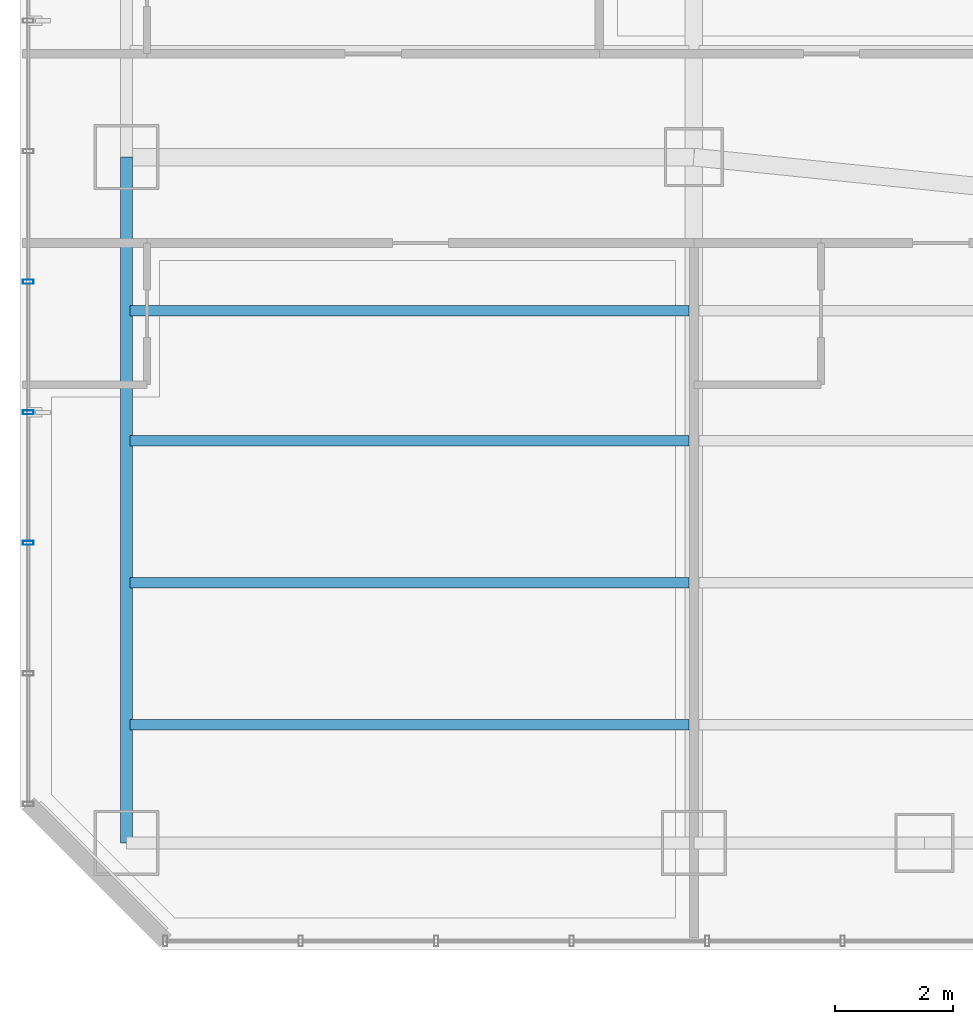
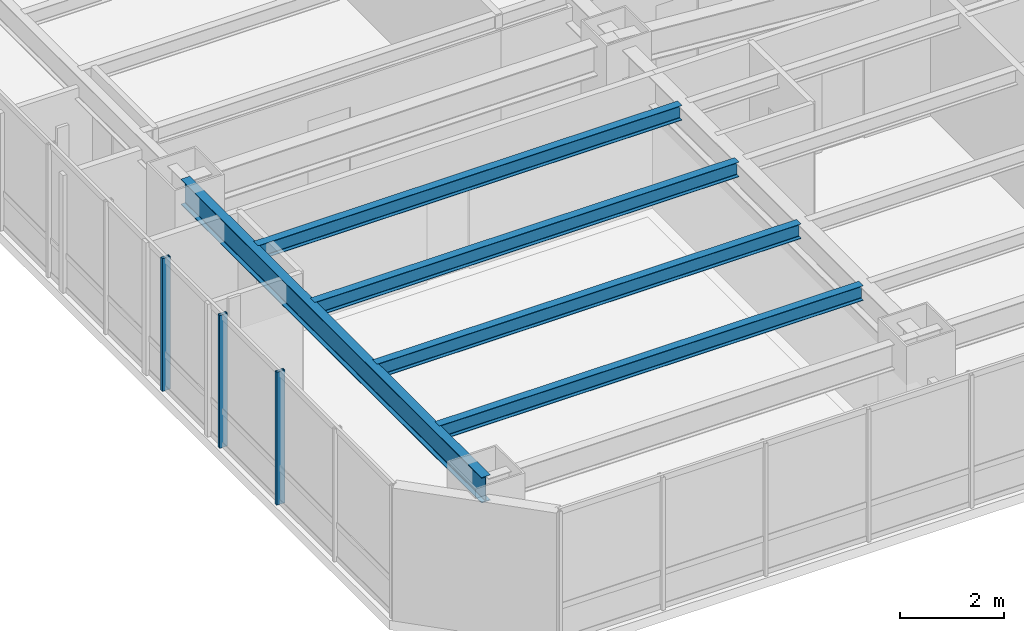
# One storey, part 5 of 37: 5 beams, 3 members, 1 element without a shape of its own.
"""IFC4 building model written with IfcOpenShell, lengths in metres."""

import ifcopenshell
import ifcopenshell.guid

model = None  # the IFC model being written
_history = None  # IfcOwnerHistory: only IFC2X3 demands one
_inside = {}  # id of a spatial element -> (the spatial element, [elements in it])
_under = {}  # id of a project, library or spatial element -> (it, [spatial elements below it])
_declared = {}  # id of a project -> (the project, [libraries it declares])
_typed = {}  # id of a type object -> (the type object, [elements of that type])
_made_of = {}  # id of a material, layer set ... -> (it, [elements and type objects made of it])


def new_model(schema):
    """Start an empty IFC model of exactly this schema.

    Asked for "IFC4X3", IfcOpenShell would pick the latest addendum, in which some entities
    have other attributes; the version numbers below select the first issue.
    IFC2X3 requires an IfcOwnerHistory on every rooted entity: one is made here for all.
    """
    global model, _history
    if schema == "IFC4X3":
        model = ifcopenshell.file(schema_version=(4, 3, 0, 0))
    else:
        model = ifcopenshell.file(schema=schema)
    _inside.clear()
    _under.clear()
    _declared.clear()
    _typed.clear()
    _made_of.clear()
    _history = None
    if model.schema == "IFC2X3":
        org = make("IfcOrganization", Name="unknown")
        user = make(
            "IfcPersonAndOrganization",
            ThePerson=make("IfcPerson", FamilyName="unknown"),
            TheOrganization=org,
        )
        app = make(
            "IfcApplication",
            ApplicationDeveloper=org,
            Version="unknown",
            ApplicationFullName="unknown",
            ApplicationIdentifier="unknown",
        )
        _history = make(
            "IfcOwnerHistory",
            OwningUser=user,
            OwningApplication=app,
            ChangeAction="ADDED",
            CreationDate=0,
        )
    return model


def make(cls, **values):
    """One entity of the class cls with the attributes given. An attribute that is None is left unset."""
    return model.create_entity(
        cls, **{name: value for name, value in values.items() if value is not None}
    )


def rooted(cls, **values):
    """An entity with a GlobalId (a new one), such as an element, a storey or a relation."""
    return make(cls, GlobalId=ifcopenshell.guid.new(), OwnerHistory=_history, **values)


def si_unit(unit_type, name, prefix=None):
    """IfcSIUnit, for example si_unit("LENGTHUNIT", "METRE", prefix="MILLI")."""
    return make("IfcSIUnit", UnitType=unit_type, Prefix=prefix, Name=name)


def assignment(units):
    """IfcUnitAssignment: the units of a project."""
    return None if units is None else make("IfcUnitAssignment", Units=units)


def point(xyz):
    """IfcCartesianPoint."""
    return None if xyz is None else make("IfcCartesianPoint", Coordinates=xyz)


def direction(xyz):
    """IfcDirection."""
    return None if xyz is None else make("IfcDirection", DirectionRatios=xyz)


def frame(location, z_axis=None, x_axis=None):
    """IfcAxis2Placement3D, a coordinate frame: its origin and axes. An axis left out is left unset."""
    return make(
        "IfcAxis2Placement3D",
        Location=point(location),
        Axis=direction(z_axis),
        RefDirection=direction(x_axis),
    )


def frame_2d(location, x_axis=None):
    """IfcAxis2Placement2D, a coordinate frame in the plane: its origin and x axis."""
    return make(
        "IfcAxis2Placement2D", Location=point(location), RefDirection=direction(x_axis)
    )


def origin():
    """The frame at (0, 0, 0) with its axes left unset."""
    return frame((0.0, 0.0, 0.0))


def origin_2d():
    """The frame at (0, 0) in the plane with its x axis left unset."""
    return frame_2d((0.0, 0.0))


def place(relative_to, where):
    """IfcLocalPlacement: puts the frame where relative to a parent placement (None: the world)."""
    return make(
        "IfcLocalPlacement", PlacementRelTo=relative_to, RelativePlacement=where
    )


def context(
    kind, dimensions, precision=None, world=None, true_north=None, identifier=None
):
    """IfcGeometricRepresentationContext, for example the 3D "Model" context."""
    return make(
        "IfcGeometricRepresentationContext",
        ContextIdentifier=identifier,
        ContextType=kind,
        CoordinateSpaceDimension=dimensions,
        Precision=precision,
        WorldCoordinateSystem=world,
        TrueNorth=true_north,
    )


def subcontext(parent, identifier, kind, view, scale=None):
    """IfcGeometricRepresentationSubContext, for example "Body" below "Model"."""
    return make(
        "IfcGeometricRepresentationSubContext",
        ContextIdentifier=identifier,
        ContextType=kind,
        ParentContext=parent,
        TargetScale=scale,
        TargetView=view,
    )


def project(units=None, contexts=None):
    """IfcProject with its units and contexts."""
    return rooted(
        "IfcProject",
        Name="project",
        RepresentationContexts=contexts,
        UnitsInContext=assignment(units),
    )


def spatial(cls, under=None, at=None, **own):
    """A site, building, storey or space (cls), placed at a placement, below another one or the project."""
    s = rooted(cls, ObjectPlacement=at, **own)
    if under is not None:
        _under.setdefault(under.id(), (under, []))[1].append(s)
    return s


def profile(cls, at=None, kind="AREA", **sizes):
    """A parametric profile (cls). Its sizes go by their IFC names, for example OverallWidth=200.0."""
    return make(cls, ProfileType=kind, Position=at, **sizes)


def hollow_rectangle(**sizes):
    """IfcRectangleHollowProfileDef."""
    return profile("IfcRectangleHollowProfileDef", **sizes)


def i_section(**sizes):
    """IfcIShapeProfileDef."""
    return profile("IfcIShapeProfileDef", **sizes)


def extrude(swept, where, along, depth):
    """IfcExtrudedAreaSolid: the profile swept, set in the frame where, extruded along a direction by depth."""
    return make(
        "IfcExtrudedAreaSolid",
        SweptArea=swept,
        Position=where,
        ExtrudedDirection=direction(along),
        Depth=depth,
    )


def shape(context_of_items, identifier, shape_type, items):
    """IfcShapeRepresentation: the items that make up one representation, for example the "Body"."""
    return make(
        "IfcShapeRepresentation",
        ContextOfItems=context_of_items,
        RepresentationIdentifier=identifier,
        RepresentationType=shape_type,
        Items=items,
    )


def material(Name=None, Category=None):
    """IfcMaterial."""
    return make("IfcMaterial", Name=Name, Category=Category)


def layer(
    of_material, thickness, ventilated=None, Name=None, Category=None, Priority=None
):
    """IfcMaterialLayer: one layer of a wall or slab, of a material (None: an air gap)."""
    return make(
        "IfcMaterialLayer",
        Material=of_material,
        LayerThickness=thickness,
        IsVentilated=ventilated,
        Name=Name,
        Category=Category,
        Priority=Priority,
    )


def layer_set(layers, Name=None):
    """IfcMaterialLayerSet."""
    return make("IfcMaterialLayerSet", MaterialLayers=layers, LayerSetName=Name)


def material_profile(
    of_material, cross_section, Name=None, Category=None, Priority=None
):
    """IfcMaterialProfile: a cross section and its material."""
    return make(
        "IfcMaterialProfile",
        Name=Name,
        Material=of_material,
        Profile=cross_section,
        Priority=Priority,
        Category=Category,
    )


def profile_set(profiles, Name=None, composite=None):
    """IfcMaterialProfileSet."""
    return make(
        "IfcMaterialProfileSet",
        Name=Name,
        MaterialProfiles=profiles,
        CompositeProfile=composite,
    )


def made_of(thing, what):
    """Note that an element or type object is made of a material, layer set ...; save() writes the relation."""
    if what is not None:
        _made_of.setdefault(what.id(), (what, []))[1].append(thing)
    return thing


def type_object(cls, material=None, **own):
    """A type object (cls), such as IfcWallType, which elements share."""
    return made_of(rooted(cls, **own), material)


def element(
    cls,
    number,
    at=None,
    inside=None,
    cuts=None,
    type_object=None,
    material=None,
    context=None,
    identifier="Body",
    shape_type=None,
    held_by="IfcProductDefinitionShape",
    body=None,
    shapes=None,
    **own,
):
    """One element of the class cls, such as IfcWall. Its Tag is "e" and its number.

    at: its placement. inside: the storey or other place that contains it. cuts: it is an
    opening in that element (IfcRelVoidsElement). A single representation is given by context,
    identifier, shape_type and body (its items); several are given by shapes. held_by: the class
    of the entity that holds the representations. save() writes the other relations.
    """
    e = rooted(cls, Tag="e%d" % number, ObjectPlacement=at, **own)
    if body is not None:
        shapes = [shape(context, identifier, shape_type, body)]
    if shapes is not None:
        e.Representation = make(held_by, Representations=shapes)
    if inside is not None:
        _inside.setdefault(inside.id(), (inside, []))[1].append(e)
    if cuts is not None:
        rooted(
            "IfcRelVoidsElement", RelatingBuildingElement=cuts, RelatedOpeningElement=e
        )
    if type_object is not None:
        _typed.setdefault(type_object.id(), (type_object, []))[1].append(e)
    return made_of(e, material)


def aggregate(whole, parts):
    """IfcRelAggregates: a whole, such as a stair, and the parts it consists of."""
    return rooted("IfcRelAggregates", RelatingObject=whole, RelatedObjects=parts)


def save(model, path):
    """Write the relations noted so far, then the file.

    IfcRelAggregates (storeys below a building ...), IfcRelContainedInSpatialStructure (elements
    in a storey), IfcRelDefinesByType, IfcRelAssociatesMaterial and IfcRelDeclares: one each for
    every whole, place, type object, material and project.
    """
    for whole, parts in _under.values():
        aggregate(whole, parts)
    for where, things in _inside.values():
        rooted(
            "IfcRelContainedInSpatialStructure",
            RelatedElements=things,
            RelatingStructure=where,
        )
    for kind, things in _typed.values():
        rooted("IfcRelDefinesByType", RelatedObjects=things, RelatingType=kind)
    for what, things in _made_of.values():
        rooted("IfcRelAssociatesMaterial", RelatedObjects=things, RelatingMaterial=what)
    for by, libraries in _declared.values():
        rooted("IfcRelDeclares", RelatingContext=by, RelatedDefinitions=libraries)
    model.write(path)


model = new_model("IFC4")

# Units and contexts
model_context = context("Model", 3, precision=1e-05, world=origin(), true_north=direction((0.0, 1.0)))
body_context = subcontext(model_context, "Body", "Model", "MODEL_VIEW")
ifc_project = project(units=[si_unit("LENGTHUNIT", "METRE"), si_unit("AREAUNIT", "SQUARE_METRE"), si_unit("VOLUMEUNIT", "CUBIC_METRE"), si_unit("PLANEANGLEUNIT", "RADIAN"), si_unit("MASSUNIT", "GRAM", prefix="KILO")], contexts=[model_context])

# Site, building, storey
site_placement = place(None, origin())
site = spatial("IfcSite", under=ifc_project, at=site_placement, CompositionType="ELEMENT")
building_placement = place(site_placement, origin())
building = spatial("IfcBuilding", under=site, at=building_placement, Name="Hatsunagi Terrace Concourse", CompositionType="ELEMENT")
storey_placement = place(building_placement, frame((0.0, 0.0, 39.949951171875)))
storey = spatial("IfcBuildingStorey", under=building, at=storey_placement, Name="L09", CompositionType="ELEMENT", Elevation=39.949951171875)

# Curtain wall, members
ifc_material_1 = material(Name="Anodised Aluminium Alloy 6063-T5", Category="aluminium")
ifc_layer = layer(ifc_material_1, 0.199951171875)
ifc_layer_set = layer_set([ifc_layer], Name="HotelFacade_CW02")
curtain_wall_type = type_object("IfcCurtainWallType", Name="HotelFacade_CW02", PredefinedType="NOTDEFINED", material=ifc_layer_set)
curtain_wall_placement = place(storey_placement, origin())
curtain_wall = element("IfcCurtainWall", 1, at=curtain_wall_placement, inside=storey, type_object=curtain_wall_type, Name="Unitised Curtain Wall CW-02 CW-L09-09", PredefinedType="NOTDEFINED")
ifc_material_2 = material(Name="Anodised Aluminium Alloy 6063-T5", Category="aluminium")
ifc_material_profile_1 = material_profile(ifc_material_2, hollow_rectangle(XDim=0.070068359375, YDim=0.179931640625, WallThickness=0.00390625, at=origin_2d()), Name="ALU-MUL-180x70x4")
ifc_profile_set_1 = profile_set([ifc_material_profile_1], Name="Anodised Aluminium Alloy 6063-T5")
member_type = type_object("IfcMemberType", Name="CurtainWallMullion_180x70", PredefinedType="MULLION", material=ifc_profile_set_1)
member_1_placement = place(storey_placement, frame((0.139892578125, 30.27490234375, 0.0), z_axis=(0.0, 0.0, 1.0), x_axis=(0.0, 1.0, 0.0)))
member_1 = element("IfcMember", 2, at=member_1_placement, type_object=member_type, Name="Curtain Wall Mullion MUL-02", PredefinedType="MULLION", context=body_context, shape_type="SweptSolid", body=[
    extrude(hollow_rectangle(XDim=0.070068359375, YDim=0.179931640625, WallThickness=0.00390625, at=origin_2d()), origin(), (0.0, 0.0, 1.0), 3.130126953125),
])
member_2_placement = place(storey_placement, frame((0.139892578125, 32.48291015625, 0.0), z_axis=(0.0, 0.0, 1.0), x_axis=(0.0, 1.0, 0.0)))
member_2 = element("IfcMember", 3, at=member_2_placement, type_object=member_type, Name="Curtain Wall Mullion MUL-02", PredefinedType="MULLION", context=body_context, shape_type="SweptSolid", body=[
    extrude(hollow_rectangle(XDim=0.070068359375, YDim=0.179931640625, WallThickness=0.00390625, at=origin_2d()), origin(), (0.0, 0.0, 1.0), 3.130126953125),
])
member_3_placement = place(storey_placement, frame((0.139892578125, 34.69189453125, 0.0), z_axis=(0.0, 0.0, 1.0), x_axis=(0.0, 1.0, 0.0)))
member_3 = element("IfcMember", 4, at=member_3_placement, type_object=member_type, Name="Curtain Wall Mullion MUL-02", PredefinedType="MULLION", context=body_context, shape_type="SweptSolid", body=[
    extrude(hollow_rectangle(XDim=0.070068359375, YDim=0.179931640625, WallThickness=0.00390625, at=origin_2d()), origin(), (0.0, 0.0, 1.0), 3.130126953125),
])
aggregate(curtain_wall, [member_1, member_2, member_3])

# Beams
ifc_material_3 = material(Name="Steel SN490B", Category="steel")
ifc_material_profile_2 = material_profile(ifc_material_3, i_section(OverallWidth=0.175048828125, OverallDepth=0.35009765625, WebThickness=0.007080078125, FlangeThickness=0.010986328125, FilletRadius=0.012939453125, at=origin_2d()), Name="H-350x175x7x11")
ifc_profile_set_2 = profile_set([ifc_material_profile_2], Name="Steel SN490B")
beam_type_1 = type_object("IfcBeamType", Name="HotelJoist_H_350x175", PredefinedType="JOIST", material=ifc_profile_set_2)
for number, where, z_axis, x_axis, name in (
    (5, (1.864990234375, 27.199951171875, 2.955078125), (1.0, 0.0, 0.0), (0.0, 1.0, 0.0), "Beam J-02 J-L09-W-1-272"),
    (6, (1.864990234375, 29.60009765625, 2.955078125), (1.0, 0.0, 0.0), (0.0, 1.0, 0.0), "Beam J-02 J-L09-W-1-296"),
    (7, (1.864990234375, 32.0, 2.955078125), (1.0, 0.0, 0.0), (0.0, 1.0, 0.0), "Beam J-02 J-L09-W-1-320"),
    (8, (1.864990234375, 34.199951171875, 2.955078125), (1.0, 0.0, 0.0), (0.0, 1.0, 0.0), "Beam J-02 J-L09-W-1-342"),
):
    element("IfcBeam", number, at=place(storey_placement, frame(where, z_axis=z_axis, x_axis=x_axis)), inside=storey, type_object=beam_type_1, Name=name, PredefinedType="JOIST", context=body_context, shape_type="SweptSolid", body=[
        extrude(i_section(OverallWidth=0.175048828125, OverallDepth=0.35009765625, WebThickness=0.007080078125, FlangeThickness=0.010986328125, FilletRadius=0.012939453125, at=origin_2d()), origin(), (0.0, 0.0, 1.0), 9.449951171875),
    ])
ifc_material_4 = material(Name="Steel SN490B", Category="steel")
ifc_material_profile_3 = material_profile(ifc_material_4, i_section(OverallWidth=0.199951171875, OverallDepth=0.60009765625, WebThickness=0.010986328125, FlangeThickness=0.01708984375, FilletRadius=0.01806640625, at=origin_2d()), Name="H-600x200x11x17")
ifc_profile_set_3 = profile_set([ifc_material_profile_3], Name="Steel SN490B")
beam_type_2 = type_object("IfcBeamType", Name="PerimeterSpandrel_H_600x200", PredefinedType="SPANDREL", material=ifc_profile_set_3)
beam_placement = place(storey_placement, frame((1.800048828125, 25.199951171875, 2.830078125), z_axis=(0.0, 1.0, 0.0), x_axis=(-1.0, 0.0, 0.0)))
element("IfcBeam", 9, at=beam_placement, inside=storey, type_object=beam_type_2, Name="Beam SP-01 BM-L09-NS-1-25", PredefinedType="SPANDREL", context=body_context, shape_type="SweptSolid", body=[
    extrude(i_section(OverallWidth=0.199951171875, OverallDepth=0.60009765625, WebThickness=0.010986328125, FlangeThickness=0.01708984375, FilletRadius=0.01806640625, at=origin_2d()), origin(), (0.0, 0.0, 1.0), 11.60009765625),
])

save(model, "model.ifc")
